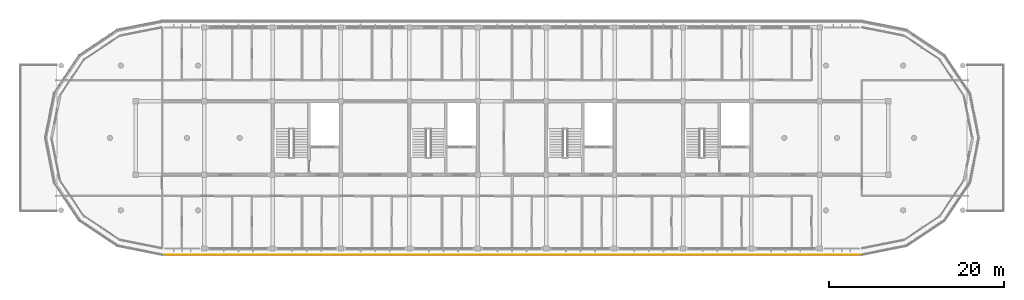
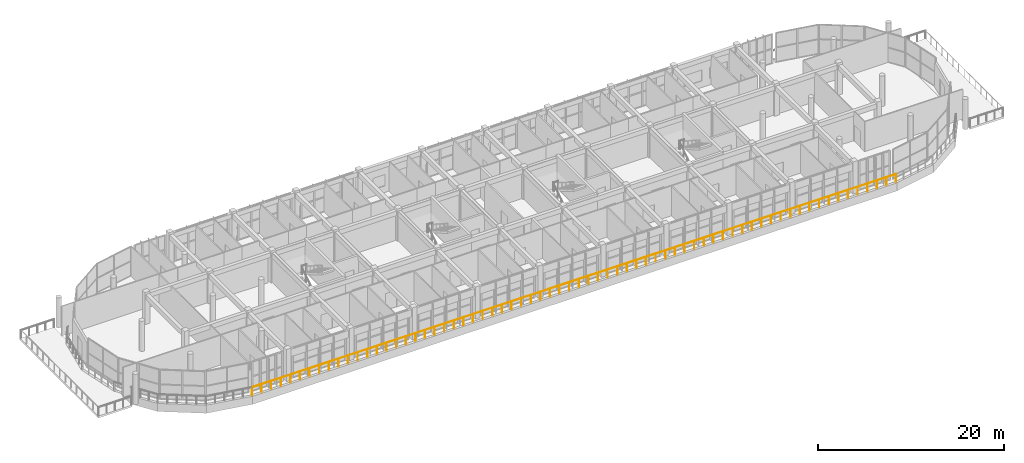
# One storey, part 53 of 56: 1 railing.
"""IFC4 building model written with IfcOpenShell, lengths in metres."""

import ifcopenshell
import ifcopenshell.guid

model = None  # the IFC model being written
_history = None  # IfcOwnerHistory: only IFC2X3 demands one
_inside = {}  # id of a spatial element -> (the spatial element, [elements in it])
_under = {}  # id of a project, library or spatial element -> (it, [spatial elements below it])
_declared = {}  # id of a project -> (the project, [libraries it declares])
_typed = {}  # id of a type object -> (the type object, [elements of that type])
_made_of = {}  # id of a material, layer set ... -> (it, [elements and type objects made of it])


def new_model(schema):
    """Start an empty IFC model of exactly this schema.

    Asked for "IFC4X3", IfcOpenShell would pick the latest addendum, in which some entities
    have other attributes; the version numbers below select the first issue.
    IFC2X3 requires an IfcOwnerHistory on every rooted entity: one is made here for all.
    """
    global model, _history
    if schema == "IFC4X3":
        model = ifcopenshell.file(schema_version=(4, 3, 0, 0))
    else:
        model = ifcopenshell.file(schema=schema)
    _inside.clear()
    _under.clear()
    _declared.clear()
    _typed.clear()
    _made_of.clear()
    _history = None
    if model.schema == "IFC2X3":
        org = make("IfcOrganization", Name="unknown")
        user = make(
            "IfcPersonAndOrganization",
            ThePerson=make("IfcPerson", FamilyName="unknown"),
            TheOrganization=org,
        )
        app = make(
            "IfcApplication",
            ApplicationDeveloper=org,
            Version="unknown",
            ApplicationFullName="unknown",
            ApplicationIdentifier="unknown",
        )
        _history = make(
            "IfcOwnerHistory",
            OwningUser=user,
            OwningApplication=app,
            ChangeAction="ADDED",
            CreationDate=0,
        )
    return model


def make(cls, **values):
    """One entity of the class cls with the attributes given. An attribute that is None is left unset."""
    return model.create_entity(
        cls, **{name: value for name, value in values.items() if value is not None}
    )


def rooted(cls, **values):
    """An entity with a GlobalId (a new one), such as an element, a storey or a relation."""
    return make(cls, GlobalId=ifcopenshell.guid.new(), OwnerHistory=_history, **values)


def si_unit(unit_type, name, prefix=None):
    """IfcSIUnit, for example si_unit("LENGTHUNIT", "METRE", prefix="MILLI")."""
    return make("IfcSIUnit", UnitType=unit_type, Prefix=prefix, Name=name)


def assignment(units):
    """IfcUnitAssignment: the units of a project."""
    return None if units is None else make("IfcUnitAssignment", Units=units)


def point(xyz):
    """IfcCartesianPoint."""
    return None if xyz is None else make("IfcCartesianPoint", Coordinates=xyz)


def direction(xyz):
    """IfcDirection."""
    return None if xyz is None else make("IfcDirection", DirectionRatios=xyz)


def frame(location, z_axis=None, x_axis=None):
    """IfcAxis2Placement3D, a coordinate frame: its origin and axes. An axis left out is left unset."""
    return make(
        "IfcAxis2Placement3D",
        Location=point(location),
        Axis=direction(z_axis),
        RefDirection=direction(x_axis),
    )


def frame_2d(location, x_axis=None):
    """IfcAxis2Placement2D, a coordinate frame in the plane: its origin and x axis."""
    return make(
        "IfcAxis2Placement2D", Location=point(location), RefDirection=direction(x_axis)
    )


def origin():
    """The frame at (0, 0, 0) with its axes left unset."""
    return frame((0.0, 0.0, 0.0))


def origin_2d():
    """The frame at (0, 0) in the plane with its x axis left unset."""
    return frame_2d((0.0, 0.0))


def place(relative_to, where):
    """IfcLocalPlacement: puts the frame where relative to a parent placement (None: the world)."""
    return make(
        "IfcLocalPlacement", PlacementRelTo=relative_to, RelativePlacement=where
    )


def context(
    kind, dimensions, precision=None, world=None, true_north=None, identifier=None
):
    """IfcGeometricRepresentationContext, for example the 3D "Model" context."""
    return make(
        "IfcGeometricRepresentationContext",
        ContextIdentifier=identifier,
        ContextType=kind,
        CoordinateSpaceDimension=dimensions,
        Precision=precision,
        WorldCoordinateSystem=world,
        TrueNorth=true_north,
    )


def subcontext(parent, identifier, kind, view, scale=None):
    """IfcGeometricRepresentationSubContext, for example "Body" below "Model"."""
    return make(
        "IfcGeometricRepresentationSubContext",
        ContextIdentifier=identifier,
        ContextType=kind,
        ParentContext=parent,
        TargetScale=scale,
        TargetView=view,
    )


def project(units=None, contexts=None):
    """IfcProject with its units and contexts."""
    return rooted(
        "IfcProject",
        Name="project",
        RepresentationContexts=contexts,
        UnitsInContext=assignment(units),
    )


def spatial(cls, under=None, at=None, **own):
    """A site, building, storey or space (cls), placed at a placement, below another one or the project."""
    s = rooted(cls, ObjectPlacement=at, **own)
    if under is not None:
        _under.setdefault(under.id(), (under, []))[1].append(s)
    return s


def profile(cls, at=None, kind="AREA", **sizes):
    """A parametric profile (cls). Its sizes go by their IFC names, for example OverallWidth=200.0."""
    return make(cls, ProfileType=kind, Position=at, **sizes)


def circle(**sizes):
    """IfcCircleProfileDef."""
    return profile("IfcCircleProfileDef", **sizes)


def hollow_circle(**sizes):
    """IfcCircleHollowProfileDef."""
    return profile("IfcCircleHollowProfileDef", **sizes)


def extrude(swept, where, along, depth):
    """IfcExtrudedAreaSolid: the profile swept, set in the frame where, extruded along a direction by depth."""
    return make(
        "IfcExtrudedAreaSolid",
        SweptArea=swept,
        Position=where,
        ExtrudedDirection=direction(along),
        Depth=depth,
    )


def shape(context_of_items, identifier, shape_type, items):
    """IfcShapeRepresentation: the items that make up one representation, for example the "Body"."""
    return make(
        "IfcShapeRepresentation",
        ContextOfItems=context_of_items,
        RepresentationIdentifier=identifier,
        RepresentationType=shape_type,
        Items=items,
    )


def material(Name=None, Category=None):
    """IfcMaterial."""
    return make("IfcMaterial", Name=Name, Category=Category)


def material_profile(
    of_material, cross_section, Name=None, Category=None, Priority=None
):
    """IfcMaterialProfile: a cross section and its material."""
    return make(
        "IfcMaterialProfile",
        Name=Name,
        Material=of_material,
        Profile=cross_section,
        Priority=Priority,
        Category=Category,
    )


def profile_set(profiles, Name=None, composite=None):
    """IfcMaterialProfileSet."""
    return make(
        "IfcMaterialProfileSet",
        Name=Name,
        MaterialProfiles=profiles,
        CompositeProfile=composite,
    )


def made_of(thing, what):
    """Note that an element or type object is made of a material, layer set ...; save() writes the relation."""
    if what is not None:
        _made_of.setdefault(what.id(), (what, []))[1].append(thing)
    return thing


def type_object(cls, material=None, **own):
    """A type object (cls), such as IfcWallType, which elements share."""
    return made_of(rooted(cls, **own), material)


def element(
    cls,
    number,
    at=None,
    inside=None,
    cuts=None,
    type_object=None,
    material=None,
    context=None,
    identifier="Body",
    shape_type=None,
    held_by="IfcProductDefinitionShape",
    body=None,
    shapes=None,
    **own,
):
    """One element of the class cls, such as IfcWall. Its Tag is "e" and its number.

    at: its placement. inside: the storey or other place that contains it. cuts: it is an
    opening in that element (IfcRelVoidsElement). A single representation is given by context,
    identifier, shape_type and body (its items); several are given by shapes. held_by: the class
    of the entity that holds the representations. save() writes the other relations.
    """
    e = rooted(cls, Tag="e%d" % number, ObjectPlacement=at, **own)
    if body is not None:
        shapes = [shape(context, identifier, shape_type, body)]
    if shapes is not None:
        e.Representation = make(held_by, Representations=shapes)
    if inside is not None:
        _inside.setdefault(inside.id(), (inside, []))[1].append(e)
    if cuts is not None:
        rooted(
            "IfcRelVoidsElement", RelatingBuildingElement=cuts, RelatedOpeningElement=e
        )
    if type_object is not None:
        _typed.setdefault(type_object.id(), (type_object, []))[1].append(e)
    return made_of(e, material)


def aggregate(whole, parts):
    """IfcRelAggregates: a whole, such as a stair, and the parts it consists of."""
    return rooted("IfcRelAggregates", RelatingObject=whole, RelatedObjects=parts)


def save(model, path):
    """Write the relations noted so far, then the file.

    IfcRelAggregates (storeys below a building ...), IfcRelContainedInSpatialStructure (elements
    in a storey), IfcRelDefinesByType, IfcRelAssociatesMaterial and IfcRelDeclares: one each for
    every whole, place, type object, material and project.
    """
    for whole, parts in _under.values():
        aggregate(whole, parts)
    for where, things in _inside.values():
        rooted(
            "IfcRelContainedInSpatialStructure",
            RelatedElements=things,
            RelatingStructure=where,
        )
    for kind, things in _typed.values():
        rooted("IfcRelDefinesByType", RelatedObjects=things, RelatingType=kind)
    for what, things in _made_of.values():
        rooted("IfcRelAssociatesMaterial", RelatedObjects=things, RelatingMaterial=what)
    for by, libraries in _declared.values():
        rooted("IfcRelDeclares", RelatingContext=by, RelatedDefinitions=libraries)
    model.write(path)


model = new_model("IFC4")

# Units and contexts
model_context = context("Model", 3, precision=1e-05, world=origin(), true_north=direction((0.0, 1.0)))
body_context = subcontext(model_context, "Body", "Model", "MODEL_VIEW")
ifc_project = project(units=[si_unit("LENGTHUNIT", "METRE"), si_unit("AREAUNIT", "SQUARE_METRE"), si_unit("VOLUMEUNIT", "CUBIC_METRE"), si_unit("PLANEANGLEUNIT", "RADIAN"), si_unit("MASSUNIT", "GRAM", prefix="KILO")], contexts=[model_context])

# Site, building, storey
site_placement = place(None, origin())
site = spatial("IfcSite", under=ifc_project, at=site_placement, CompositionType="ELEMENT")
building_placement = place(site_placement, origin())
building = spatial("IfcBuilding", under=site, at=building_placement, Name="Zizhar Promenade General Hospital", CompositionType="ELEMENT")
storey_placement = place(building_placement, frame((0.0, 0.0, 26.39990234375)))
storey = spatial("IfcBuildingStorey", under=building, at=storey_placement, Name="L06", CompositionType="ELEMENT", Elevation=26.39990234375)

# Railing
ifc_material = material(Name="Anodised aluminium 6063-T6", Category="aluminium")
ifc_material_profile = material_profile(ifc_material, hollow_circle(Radius=0.06982421875, WallThickness=0.00634765625, at=origin_2d()))
ifc_profile_set = profile_set([ifc_material_profile], Name="Anodised aluminium 6063-T6")
railing_type = type_object("IfcRailingType", Name="RL-GUARD-TERR-1100", PredefinedType="GUARDRAIL", material=ifc_profile_set)
railing_placement = place(storey_placement, frame((34.199951171875, -0.719970703125, 0.0)))
element("IfcRailing", 1, at=railing_placement, inside=storey, type_object=railing_type, Name="Perimeter Safety Guardrail L06-18", PredefinedType="GUARDRAIL", context=body_context, shape_type="SweptSolid", body=[
    extrude(circle(Radius=0.02392578125, at=origin_2d()), frame((0.0, 0.0, 1.09619140625), z_axis=(1.0, 0.0, 0.0), x_axis=(0.0, 1.0, 0.0)), (0.0, 0.0, 1.0), 79.800048828125),
    extrude(circle(Radius=0.02099609375, at=origin_2d()), origin(), (0.0, 0.0, 1.0), 1.072021484375),
    extrude(circle(Radius=0.02099609375, at=origin_2d()), frame((1.191162109375, 0.0, 0.0)), (0.0, 0.0, 1.0), 1.072021484375),
    extrude(circle(Radius=0.02099609375, at=origin_2d()), frame((2.382080078125, 0.0, 0.0)), (0.0, 0.0, 1.0), 1.072021484375),
    extrude(circle(Radius=0.02099609375, at=origin_2d()), frame((3.5732421875, 0.0, 0.0)), (0.0, 0.0, 1.0), 1.072021484375),
    extrude(circle(Radius=0.02099609375, at=origin_2d()), frame((4.76416015625, 0.0, 0.0)), (0.0, 0.0, 1.0), 1.072021484375),
    extrude(circle(Radius=0.02099609375, at=origin_2d()), frame((5.955322265625, 0.0, 0.0)), (0.0, 0.0, 1.0), 1.072021484375),
    extrude(circle(Radius=0.02099609375, at=origin_2d()), frame((7.146240234375, 0.0, 0.0)), (0.0, 0.0, 1.0), 1.072021484375),
    extrude(circle(Radius=0.02099609375, at=origin_2d()), frame((8.33740234375, 0.0, 0.0)), (0.0, 0.0, 1.0), 1.072021484375),
    extrude(circle(Radius=0.02099609375, at=origin_2d()), frame((9.5283203125, 0.0, 0.0)), (0.0, 0.0, 1.0), 1.072021484375),
    extrude(circle(Radius=0.02099609375, at=origin_2d()), frame((10.719482421875, 0.0, 0.0)), (0.0, 0.0, 1.0), 1.072021484375),
    extrude(circle(Radius=0.02099609375, at=origin_2d()), frame((11.910400390625, 0.0, 0.0)), (0.0, 0.0, 1.0), 1.072021484375),
    extrude(circle(Radius=0.02099609375, at=origin_2d()), frame((13.1015625, 0.0, 0.0)), (0.0, 0.0, 1.0), 1.072021484375),
    extrude(circle(Radius=0.02099609375, at=origin_2d()), frame((14.29248046875, 0.0, 0.0)), (0.0, 0.0, 1.0), 1.072021484375),
    extrude(circle(Radius=0.02099609375, at=origin_2d()), frame((15.483642578125, 0.0, 0.0)), (0.0, 0.0, 1.0), 1.072021484375),
    extrude(circle(Radius=0.02099609375, at=origin_2d()), frame((16.674560546875, 0.0, 0.0)), (0.0, 0.0, 1.0), 1.072021484375),
    extrude(circle(Radius=0.02099609375, at=origin_2d()), frame((17.86572265625, 0.0, 0.0)), (0.0, 0.0, 1.0), 1.072021484375),
    extrude(circle(Radius=0.02099609375, at=origin_2d()), frame((19.056640625, 0.0, 0.0)), (0.0, 0.0, 1.0), 1.072021484375),
    extrude(circle(Radius=0.02099609375, at=origin_2d()), frame((20.247802734375, 0.0, 0.0)), (0.0, 0.0, 1.0), 1.072021484375),
    extrude(circle(Radius=0.02099609375, at=origin_2d()), frame((21.438720703125, 0.0, 0.0)), (0.0, 0.0, 1.0), 1.072021484375),
    extrude(circle(Radius=0.02099609375, at=origin_2d()), frame((22.6298828125, 0.0, 0.0)), (0.0, 0.0, 1.0), 1.072021484375),
    extrude(circle(Radius=0.02099609375, at=origin_2d()), frame((23.82080078125, 0.0, 0.0)), (0.0, 0.0, 1.0), 1.072021484375),
    extrude(circle(Radius=0.02099609375, at=origin_2d()), frame((25.011962890625, 0.0, 0.0)), (0.0, 0.0, 1.0), 1.072021484375),
    extrude(circle(Radius=0.02099609375, at=origin_2d()), frame((26.202880859375, 0.0, 0.0)), (0.0, 0.0, 1.0), 1.072021484375),
    extrude(circle(Radius=0.02099609375, at=origin_2d()), frame((27.39404296875, 0.0, 0.0)), (0.0, 0.0, 1.0), 1.072021484375),
    extrude(circle(Radius=0.02099609375, at=origin_2d()), frame((28.585205078125, 0.0, 0.0)), (0.0, 0.0, 1.0), 1.072021484375),
    extrude(circle(Radius=0.02099609375, at=origin_2d()), frame((29.776123046875, 0.0, 0.0)), (0.0, 0.0, 1.0), 1.072021484375),
    extrude(circle(Radius=0.02099609375, at=origin_2d()), frame((30.96728515625, 0.0, 0.0)), (0.0, 0.0, 1.0), 1.072021484375),
    extrude(circle(Radius=0.02099609375, at=origin_2d()), frame((32.158203125, 0.0, 0.0)), (0.0, 0.0, 1.0), 1.072021484375),
    extrude(circle(Radius=0.02099609375, at=origin_2d()), frame((33.349365234375, 0.0, 0.0)), (0.0, 0.0, 1.0), 1.072021484375),
    extrude(circle(Radius=0.02099609375, at=origin_2d()), frame((34.540283203125, 0.0, 0.0)), (0.0, 0.0, 1.0), 1.072021484375),
    extrude(circle(Radius=0.02099609375, at=origin_2d()), frame((35.7314453125, 0.0, 0.0)), (0.0, 0.0, 1.0), 1.072021484375),
    extrude(circle(Radius=0.02099609375, at=origin_2d()), frame((36.92236328125, 0.0, 0.0)), (0.0, 0.0, 1.0), 1.072021484375),
    extrude(circle(Radius=0.02099609375, at=origin_2d()), frame((38.113525390625, 0.0, 0.0)), (0.0, 0.0, 1.0), 1.072021484375),
    extrude(circle(Radius=0.02099609375, at=origin_2d()), frame((39.304443359375, 0.0, 0.0)), (0.0, 0.0, 1.0), 1.072021484375),
    extrude(circle(Radius=0.02099609375, at=origin_2d()), frame((40.49560546875, 0.0, 0.0)), (0.0, 0.0, 1.0), 1.072021484375),
    extrude(circle(Radius=0.02099609375, at=origin_2d()), frame((41.6865234375, 0.0, 0.0)), (0.0, 0.0, 1.0), 1.072021484375),
    extrude(circle(Radius=0.02099609375, at=origin_2d()), frame((42.877685546875, 0.0, 0.0)), (0.0, 0.0, 1.0), 1.072021484375),
    extrude(circle(Radius=0.02099609375, at=origin_2d()), frame((44.068603515625, 0.0, 0.0)), (0.0, 0.0, 1.0), 1.072021484375),
    extrude(circle(Radius=0.02099609375, at=origin_2d()), frame((45.259765625, 0.0, 0.0)), (0.0, 0.0, 1.0), 1.072021484375),
    extrude(circle(Radius=0.02099609375, at=origin_2d()), frame((46.45068359375, 0.0, 0.0)), (0.0, 0.0, 1.0), 1.072021484375),
    extrude(circle(Radius=0.02099609375, at=origin_2d()), frame((47.641845703125, 0.0, 0.0)), (0.0, 0.0, 1.0), 1.072021484375),
    extrude(circle(Radius=0.02099609375, at=origin_2d()), frame((48.832763671875, 0.0, 0.0)), (0.0, 0.0, 1.0), 1.072021484375),
    extrude(circle(Radius=0.02099609375, at=origin_2d()), frame((50.02392578125, 0.0, 0.0)), (0.0, 0.0, 1.0), 1.072021484375),
    extrude(circle(Radius=0.02099609375, at=origin_2d()), frame((51.21484375, 0.0, 0.0)), (0.0, 0.0, 1.0), 1.072021484375),
    extrude(circle(Radius=0.02099609375, at=origin_2d()), frame((52.406005859375, 0.0, 0.0)), (0.0, 0.0, 1.0), 1.072021484375),
    extrude(circle(Radius=0.02099609375, at=origin_2d()), frame((53.59716796875, 0.0, 0.0)), (0.0, 0.0, 1.0), 1.072021484375),
    extrude(circle(Radius=0.02099609375, at=origin_2d()), frame((54.7880859375, 0.0, 0.0)), (0.0, 0.0, 1.0), 1.072021484375),
    extrude(circle(Radius=0.02099609375, at=origin_2d()), frame((55.979248046875, 0.0, 0.0)), (0.0, 0.0, 1.0), 1.072021484375),
    extrude(circle(Radius=0.02099609375, at=origin_2d()), frame((57.170166015625, 0.0, 0.0)), (0.0, 0.0, 1.0), 1.072021484375),
    extrude(circle(Radius=0.02099609375, at=origin_2d()), frame((58.361328125, 0.0, 0.0)), (0.0, 0.0, 1.0), 1.072021484375),
    extrude(circle(Radius=0.02099609375, at=origin_2d()), frame((59.55224609375, 0.0, 0.0)), (0.0, 0.0, 1.0), 1.072021484375),
    extrude(circle(Radius=0.02099609375, at=origin_2d()), frame((60.743408203125, 0.0, 0.0)), (0.0, 0.0, 1.0), 1.072021484375),
    extrude(circle(Radius=0.02099609375, at=origin_2d()), frame((61.934326171875, 0.0, 0.0)), (0.0, 0.0, 1.0), 1.072021484375),
    extrude(circle(Radius=0.02099609375, at=origin_2d()), frame((63.12548828125, 0.0, 0.0)), (0.0, 0.0, 1.0), 1.072021484375),
    extrude(circle(Radius=0.02099609375, at=origin_2d()), frame((64.31640625, 0.0, 0.0)), (0.0, 0.0, 1.0), 1.072021484375),
    extrude(circle(Radius=0.02099609375, at=origin_2d()), frame((65.507568359375, 0.0, 0.0)), (0.0, 0.0, 1.0), 1.072021484375),
    extrude(circle(Radius=0.02099609375, at=origin_2d()), frame((66.698486328125, 0.0, 0.0)), (0.0, 0.0, 1.0), 1.072021484375),
    extrude(circle(Radius=0.02099609375, at=origin_2d()), frame((67.8896484375, 0.0, 0.0)), (0.0, 0.0, 1.0), 1.072021484375),
    extrude(circle(Radius=0.02099609375, at=origin_2d()), frame((69.08056640625, 0.0, 0.0)), (0.0, 0.0, 1.0), 1.072021484375),
    extrude(circle(Radius=0.02099609375, at=origin_2d()), frame((70.271728515625, 0.0, 0.0)), (0.0, 0.0, 1.0), 1.072021484375),
    extrude(circle(Radius=0.02099609375, at=origin_2d()), frame((71.462646484375, 0.0, 0.0)), (0.0, 0.0, 1.0), 1.072021484375),
    extrude(circle(Radius=0.02099609375, at=origin_2d()), frame((72.65380859375, 0.0, 0.0)), (0.0, 0.0, 1.0), 1.072021484375),
    extrude(circle(Radius=0.02099609375, at=origin_2d()), frame((73.8447265625, 0.0, 0.0)), (0.0, 0.0, 1.0), 1.072021484375),
    extrude(circle(Radius=0.02099609375, at=origin_2d()), frame((75.035888671875, 0.0, 0.0)), (0.0, 0.0, 1.0), 1.072021484375),
    extrude(circle(Radius=0.02099609375, at=origin_2d()), frame((76.226806640625, 0.0, 0.0)), (0.0, 0.0, 1.0), 1.072021484375),
    extrude(circle(Radius=0.02099609375, at=origin_2d()), frame((77.41796875, 0.0, 0.0)), (0.0, 0.0, 1.0), 1.072021484375),
    extrude(circle(Radius=0.02099609375, at=origin_2d()), frame((78.60888671875, 0.0, 0.0)), (0.0, 0.0, 1.0), 1.072021484375),
    extrude(circle(Radius=0.02099609375, at=origin_2d()), frame((79.800048828125, 0.0, 0.0)), (0.0, 0.0, 1.0), 1.072021484375),
])

save(model, "model.ifc")
